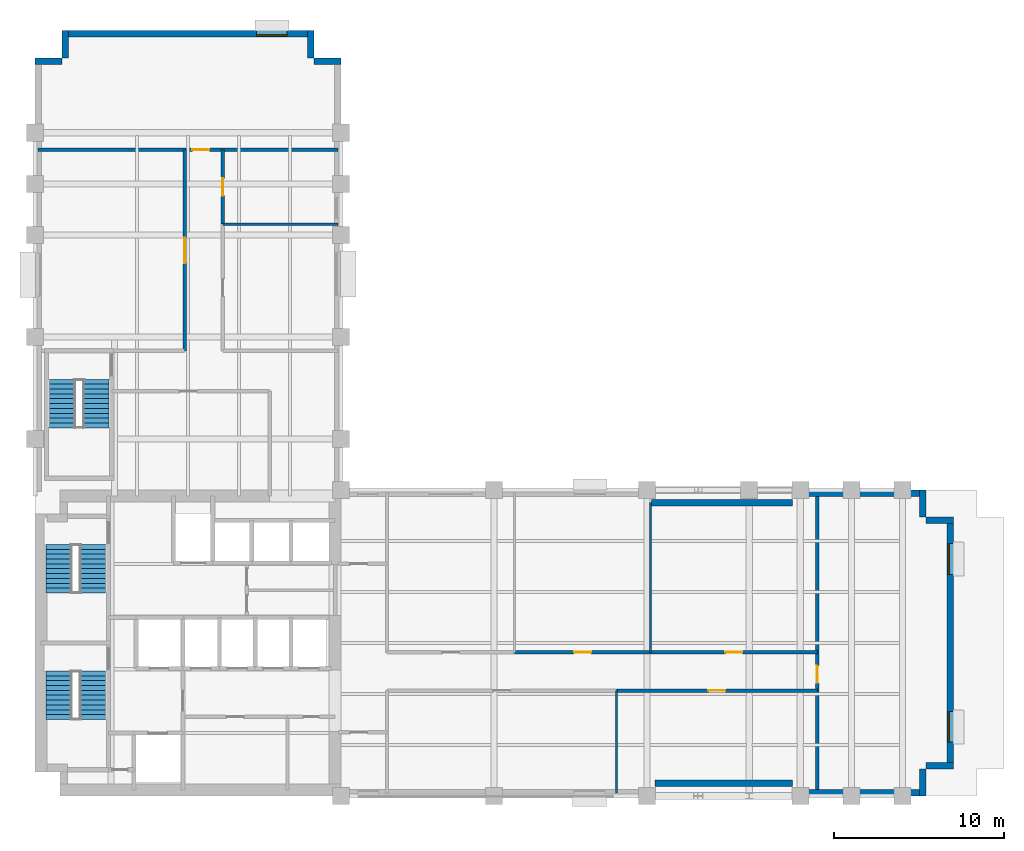
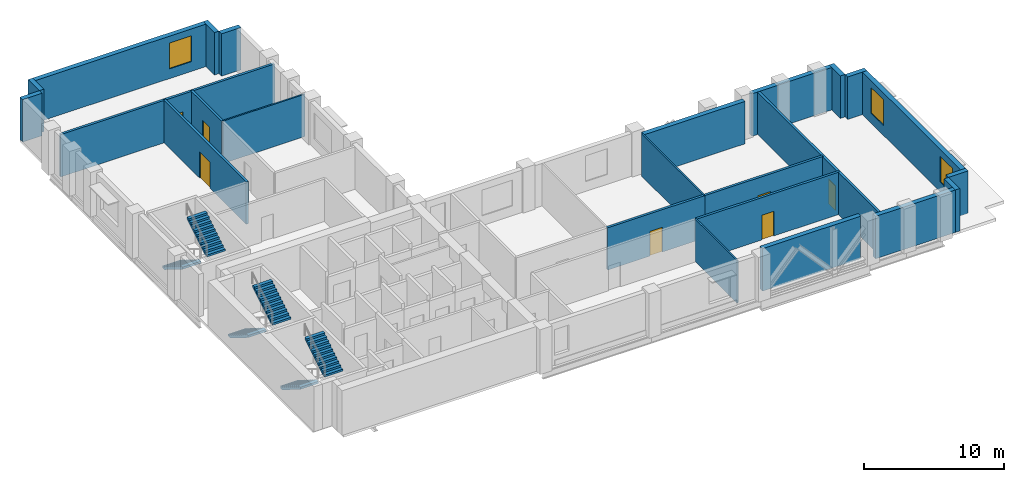
# One storey, part 5 of 7: 24 walls, 7 doors, 6 stair flights, 3 windows, 10 openings, 3 elements without a shape of their own.
"""IFC4 building model written with IfcOpenShell, lengths in metres."""

from ifc_helpers import new_model, si_unit, direction, frame, frame_2d, origin, place, context, subcontext, project, spatial, polyline, rectangle, outline, extrude, material, layer, layer_set, type_object, element, fill, aggregate, save


model = new_model("IFC4")

# Units and contexts
model_context = context("Model", 3, precision=1e-05, world=origin(), true_north=direction((0.0, 1.0)))
body_context = subcontext(model_context, "Body", "Model", "MODEL_VIEW")
ifc_project = project(units=[si_unit("LENGTHUNIT", "METRE"), si_unit("AREAUNIT", "SQUARE_METRE"), si_unit("VOLUMEUNIT", "CUBIC_METRE"), si_unit("PLANEANGLEUNIT", "RADIAN"), si_unit("MASSUNIT", "GRAM", prefix="KILO")], contexts=[model_context])

# Site, building, storey
site_placement = place(None, origin())
site = spatial("IfcSite", under=ifc_project, at=site_placement, CompositionType="ELEMENT")
building_placement = place(site_placement, origin())
building = spatial("IfcBuilding", under=site, at=building_placement, Name="Mawjdan Bourse Tower", CompositionType="ELEMENT")
storey_placement = place(building_placement, frame((0.0, 0.0, 128.39990234375)))
storey = spatial("IfcBuildingStorey", under=building, at=storey_placement, Name="L30", CompositionType="ELEMENT", Elevation=128.39990234375)

# Walls
ifc_material_1 = material(Name="Brick Masonry Terracotta Red", Category="masonry")
ifc_layer_1 = layer(ifc_material_1, 0.3798828125)
ifc_layer_set_1 = layer_set([ifc_layer_1], Name="Brick Masonry Terracotta Red")
wall_type_1 = type_object("IfcWallType", Name="WL-BRK-RED-380", PredefinedType="STANDARD", material=ifc_layer_set_1)
wall_1_placement = place(storey_placement, frame((42.449951171875, 3.75, 0.0), z_axis=(0.0, 0.0, 1.0), x_axis=(1.0, 0.0, 0.0)))
element("IfcWall", 1, at=wall_1_placement, inside=storey, type_object=wall_type_1, Name="L30 Exterior Brick Wall 1P2", PredefinedType="STANDARD", context=body_context, shape_type="SweptSolid", body=[
    extrude(rectangle(XDim=8.10009765625, YDim=0.3798828125, at=frame_2d((4.050048828125, 0.0))), origin(), (0.0, 0.0, 1.0), 3.7001953125),
])
wall_2_placement = place(storey_placement, frame((51.449951171875, 3.18994140625, 0.0), z_axis=(0.0, 0.0, 1.0), x_axis=(1.0, 0.0, 0.0)))
element("IfcWall", 2, at=wall_2_placement, inside=storey, type_object=wall_type_1, Name="L30 Exterior Brick Wall 1P3", PredefinedType="STANDARD", context=body_context, shape_type="SweptSolid", body=[
    extrude(rectangle(XDim=6.949951171875, YDim=0.3798828125, at=frame_2d((3.47509765625, 0.0))), origin(), (0.0, 0.0, 1.0), 3.7001953125),
])
for number, where, z_axis, x_axis, name in (
    (3, (58.2099609375, 3.0, 0.0), (0.0, 0.0, 1.0), (0.0, 1.0, 0.0), "L30 Exterior Brick Wall 2"),
    (4, (58.39990234375, 4.7900390625, 0.0), (0.0, 0.0, 1.0), (1.0, 0.0, 0.0), "L30 Exterior Brick Wall 3"),
):
    element("IfcWall", number, at=place(storey_placement, frame(where, z_axis=z_axis, x_axis=x_axis)), inside=storey, type_object=wall_type_1, Name=name, PredefinedType="STANDARD", context=body_context, shape_type="SweptSolid", body=[
        extrude(rectangle(XDim=1.60009765625, YDim=0.3798828125, at=frame_2d((0.800048828125, 0.0))), origin(), (0.0, 0.0, 1.0), 3.7001953125),
    ])

# Wall, openings, windows
wall_3_placement = place(storey_placement, frame((59.81005859375, 4.60009765625, 0.0), z_axis=(0.0, 0.0, 1.0), x_axis=(0.0, 1.0, 0.0)))
wall_3 = element("IfcWall", 5, at=wall_3_placement, inside=storey, type_object=wall_type_1, Name="L30 Exterior Brick Wall 4", PredefinedType="STANDARD", context=body_context, shape_type="SweptSolid", body=[
    extrude(rectangle(XDim=14.7998046875, YDim=0.3798828125, at=frame_2d((7.39990234375, 0.0))), origin(), (0.0, 0.0, 1.0), 3.7001953125),
])
opening_1_placement = place(wall_3_placement, frame((1.566650390625, 0.0, 0.85009765625)))
opening_1 = element("IfcOpeningElement", 6, at=opening_1_placement, cuts=wall_3, Name="Opening W-L30-02", PredefinedType="OPENING", context=body_context, shape_type="SweptSolid", body=[
    extrude(rectangle(XDim=1.800048828125, YDim=2.25, at=frame_2d((0.89990234375, 1.125))), frame((0.0, 0.199951171875, 0.0), z_axis=(0.0, -1.0, 0.0), x_axis=(1.0, 0.0, 0.0)), (0.0, 0.0, 1.0), 0.39990234375),
])
opening_2_placement = place(wall_3_placement, frame((11.433349609375, 0.0, 0.85009765625)))
opening_2 = element("IfcOpeningElement", 7, at=opening_2_placement, cuts=wall_3, Name="Opening W-L30-03", PredefinedType="OPENING", context=body_context, shape_type="SweptSolid", body=[
    extrude(rectangle(XDim=1.800048828125, YDim=2.25, at=frame_2d((0.89990234375, 1.125))), frame((0.0, 0.199951171875, 0.0), z_axis=(0.0, -1.0, 0.0), x_axis=(1.0, 0.0, 0.0)), (0.0, 0.0, 1.0), 0.39990234375),
])
ifc_material_2 = material(Name="Solar-Control Clear Double Glazing", Category="glass")
window_type = type_object("IfcWindowType", Name="WN-Z2-1800", PartitioningType="SINGLE_PANEL", PredefinedType="WINDOW", material=ifc_material_2)
window_1_placement = place(opening_1_placement, origin())
window_1 = element("IfcWindow", 8, at=window_1_placement, inside=storey, type_object=window_type, Name="L30 Deep-Set Masonry Window W-L30-02", OverallHeight=2.25, OverallWidth=1.800048828125, PartitioningType="SINGLE_PANEL", PredefinedType="WINDOW", context=body_context, shape_type="SweptSolid", body=[
    extrude(rectangle(XDim=1.800048828125, YDim=2.25, at=frame_2d((0.89990234375, 1.125))), frame((0.0, 0.110107421875, 0.0), z_axis=(0.0, -1.0, 0.0), x_axis=(1.0, 0.0, 0.0)), (0.0, 0.0, 1.0), 0.06005859375),
])
fill(opening_1, window_1)
window_2_placement = place(opening_2_placement, origin())
window_2 = element("IfcWindow", 9, at=window_2_placement, inside=storey, type_object=window_type, Name="L30 Deep-Set Masonry Window W-L30-03", OverallHeight=2.25, OverallWidth=1.800048828125, PartitioningType="SINGLE_PANEL", PredefinedType="WINDOW", context=body_context, shape_type="SweptSolid", body=[
    extrude(rectangle(XDim=1.800048828125, YDim=2.25, at=frame_2d((0.89990234375, 1.125))), frame((0.0, 0.110107421875, 0.0), z_axis=(0.0, -1.0, 0.0), x_axis=(1.0, 0.0, 0.0)), (0.0, 0.0, 1.0), 0.06005859375),
])
fill(opening_2, window_2)

# Walls
for number, where, z_axis, x_axis, name in (
    (10, (60.0, 19.2099609375, 0.0), (0.0, 0.0, 1.0), (-1.0, 0.0, 0.0), "L30 Exterior Brick Wall 5"),
    (11, (58.2099609375, 19.39990234375, 0.0), (0.0, 0.0, 1.0), (0.0, 1.0, 0.0), "L30 Exterior Brick Wall 6"),
):
    element("IfcWall", number, at=place(storey_placement, frame(where, z_axis=z_axis, x_axis=x_axis)), inside=storey, type_object=wall_type_1, Name=name, PredefinedType="STANDARD", context=body_context, shape_type="SweptSolid", body=[
        extrude(rectangle(XDim=1.60009765625, YDim=0.3798828125, at=frame_2d((0.800048828125, 0.0))), origin(), (0.0, 0.0, 1.0), 3.7001953125),
    ])
wall_4_placement = place(storey_placement, frame((58.39990234375, 20.81005859375, 0.0), z_axis=(0.0, 0.0, 1.0), x_axis=(-1.0, 0.0, 0.0)))
element("IfcWall", 12, at=wall_4_placement, inside=storey, type_object=wall_type_1, Name="L30 Exterior Brick Wall 7P1", PredefinedType="STANDARD", context=body_context, shape_type="SweptSolid", body=[
    extrude(rectangle(XDim=6.949951171875, YDim=0.3798828125, at=frame_2d((3.47509765625, 0.0))), origin(), (0.0, 0.0, 1.0), 3.7001953125),
])
wall_5_placement = place(storey_placement, frame((50.550048828125, 20.25, 0.0), z_axis=(0.0, 0.0, 1.0), x_axis=(-1.0, 0.0, 0.0)))
element("IfcWall", 13, at=wall_5_placement, inside=storey, type_object=wall_type_1, Name="L30 Exterior Brick Wall 7P2", PredefinedType="STANDARD", context=body_context, shape_type="SweptSolid", body=[
    extrude(rectangle(XDim=8.300048828125, YDim=0.3798828125, at=frame_2d((4.14990234375, 0.0))), origin(), (0.0, 0.0, 1.0), 3.7001953125),
])
for number, where, z_axis, x_axis, name in (
    (14, (24.0, 46.2099609375, 0.0), (0.0, 0.0, 1.0), (-1.0, 0.0, 0.0), "L30 Exterior Brick Wall 9"),
    (15, (22.2099609375, 46.39990234375, 0.0), (0.0, 0.0, 1.0), (0.0, 1.0, 0.0), "L30 Exterior Brick Wall 10"),
):
    element("IfcWall", number, at=place(storey_placement, frame(where, z_axis=z_axis, x_axis=x_axis)), inside=storey, type_object=wall_type_1, Name=name, PredefinedType="STANDARD", context=body_context, shape_type="SweptSolid", body=[
        extrude(rectangle(XDim=1.60009765625, YDim=0.3798828125, at=frame_2d((0.800048828125, 0.0))), origin(), (0.0, 0.0, 1.0), 3.7001953125),
    ])

# Wall, opening, window
wall_6_placement = place(storey_placement, frame((22.39990234375, 47.81005859375, 0.0), z_axis=(0.0, 0.0, 1.0), x_axis=(-1.0, 0.0, 0.0)))
wall_6 = element("IfcWall", 16, at=wall_6_placement, inside=storey, type_object=wall_type_1, Name="L30 Exterior Brick Wall 11", PredefinedType="STANDARD", context=body_context, shape_type="SweptSolid", body=[
    extrude(rectangle(XDim=14.7998046875, YDim=0.3798828125, at=frame_2d((7.39990234375, 0.0))), origin(), (0.0, 0.0, 1.0), 3.7001953125),
])
opening_3_placement = place(wall_6_placement, frame((1.566650390625, 0.0, 0.85009765625)))
opening_3 = element("IfcOpeningElement", 17, at=opening_3_placement, cuts=wall_6, Name="Opening W-L30-06", PredefinedType="OPENING", context=body_context, shape_type="SweptSolid", body=[
    extrude(rectangle(XDim=1.800048828125, YDim=2.25, at=frame_2d((0.89990234375, 1.125))), frame((0.0, 0.199951171875, 0.0), z_axis=(0.0, -1.0, 0.0), x_axis=(1.0, 0.0, 0.0)), (0.0, 0.0, 1.0), 0.39990234375),
])
window_3_placement = place(opening_3_placement, origin())
window_3 = element("IfcWindow", 18, at=window_3_placement, inside=storey, type_object=window_type, Name="L30 Deep-Set Masonry Window W-L30-06", OverallHeight=2.25, OverallWidth=1.800048828125, PartitioningType="SINGLE_PANEL", PredefinedType="WINDOW", context=body_context, shape_type="SweptSolid", body=[
    extrude(rectangle(XDim=1.800048828125, YDim=2.25, at=frame_2d((0.89990234375, 1.125))), frame((0.0, 0.110107421875, 0.0), z_axis=(0.0, -1.0, 0.0), x_axis=(1.0, 0.0, 0.0)), (0.0, 0.0, 1.0), 0.06005859375),
])
fill(opening_3, window_3)

# Walls
for number, where, z_axis, x_axis, name in (
    (19, (7.7900390625, 48.0, 0.0), (0.0, 0.0, 1.0), (0.0, -1.0, 0.0), "L30 Exterior Brick Wall 12"),
    (20, (7.60009765625, 46.2099609375, 0.0), (0.0, 0.0, 1.0), (-1.0, 0.0, 0.0), "L30 Exterior Brick Wall 13"),
):
    element("IfcWall", number, at=place(storey_placement, frame(where, z_axis=z_axis, x_axis=x_axis)), inside=storey, type_object=wall_type_1, Name=name, PredefinedType="STANDARD", context=body_context, shape_type="SweptSolid", body=[
        extrude(rectangle(XDim=1.60009765625, YDim=0.3798828125, at=frame_2d((0.800048828125, 0.0))), origin(), (0.0, 0.0, 1.0), 3.7001953125),
    ])

# Wall, opening, door
ifc_material_3 = material(Name="Gypsum Fireboard Assembly")
ifc_layer_2 = layer(ifc_material_3, 0.199951171875)
ifc_layer_set_2 = layer_set([ifc_layer_2], Name="Gypsum Fireboard Assembly")
wall_type_2 = type_object("IfcWallType", Name="WL-CMP-200", PredefinedType="PARTITIONING", material=ifc_layer_set_2)
wall_7_placement = place(storey_placement, frame((40.199951171875, 9.199951171875, 0.0), z_axis=(0.0, 0.0, 1.0), x_axis=(1.0, 0.0, 0.0)))
wall_7 = element("IfcWall", 21, at=wall_7_placement, inside=storey, type_object=wall_type_2, Name="L30 Document Archive Store Corridor Wall", PredefinedType="PARTITIONING", context=body_context, shape_type="SweptSolid", body=[
    extrude(rectangle(XDim=11.800048828125, YDim=0.199951171875, at=frame_2d((5.89990234375, 0.0))), origin(), (0.0, 0.0, 1.0), 3.690185546875),
])
opening_4_placement = place(wall_7_placement, frame((5.39990234375, 0.0, 0.0)))
opening_4 = element("IfcOpeningElement", 22, at=opening_4_placement, cuts=wall_7, Name="Opening D-L30-22", PredefinedType="OPENING", context=body_context, shape_type="SweptSolid", body=[
    extrude(rectangle(XDim=1.0, YDim=2.14990234375, at=frame_2d((0.5, 1.074951171875))), frame((0.0, 0.10986328125, 0.0), z_axis=(0.0, -1.0, 0.0), x_axis=(1.0, 0.0, 0.0)), (0.0, 0.0, 1.0), 0.219970703125),
])
ifc_material_4 = material(Name="Hardwood Acoustic Leaf", Category="wood")
door_type_1 = type_object("IfcDoorType", Name="DR-OFC-1000", OperationType="NOTDEFINED", PredefinedType="DOOR", material=ifc_material_4)
door_1_placement = place(opening_4_placement, origin())
door_1 = element("IfcDoor", 23, at=door_1_placement, inside=storey, type_object=door_type_1, Name="L30 Document Archive Store Door D-L30-22", OperationType="SINGLE_SWING_LEFT", OverallHeight=2.14990234375, OverallWidth=1.0, PredefinedType="DOOR", context=body_context, shape_type="SweptSolid", body=[
    extrude(rectangle(XDim=1.0, YDim=2.14990234375, at=frame_2d((0.5, 1.074951171875))), frame((0.0, 0.02490234375, 0.0), z_axis=(0.0, -1.0, 0.0), x_axis=(1.0, 0.0, 0.0)), (0.0, 0.0, 1.0), 0.050048828125),
])
fill(opening_4, door_1)

wall_8_placement = place(storey_placement, frame((34.199951171875, 11.449951171875, 0.0), z_axis=(0.0, 0.0, 1.0), x_axis=(1.0, 0.0, 0.0)))
wall_8 = element("IfcWall", 24, at=wall_8_placement, inside=storey, type_object=wall_type_2, Name="L30 Portfolio Library Corridor Wall", PredefinedType="PARTITIONING", context=body_context, shape_type="SweptSolid", body=[
    extrude(rectangle(XDim=8.0, YDim=0.199951171875, at=frame_2d((4.0, 0.0))), origin(), (0.0, 0.0, 1.0), 3.690185546875),
])
opening_5_placement = place(wall_8_placement, frame((3.5, 0.0, 0.0)))
opening_5 = element("IfcOpeningElement", 25, at=opening_5_placement, cuts=wall_8, Name="Opening D-L30-24", PredefinedType="OPENING", context=body_context, shape_type="SweptSolid", body=[
    extrude(rectangle(XDim=1.0, YDim=2.14990234375, at=frame_2d((0.5, 1.074951171875))), frame((0.0, 0.10986328125, 0.0), z_axis=(0.0, -1.0, 0.0), x_axis=(1.0, 0.0, 0.0)), (0.0, 0.0, 1.0), 0.219970703125),
])
door_2_placement = place(opening_5_placement, origin())
door_2 = element("IfcDoor", 26, at=door_2_placement, inside=storey, type_object=door_type_1, Name="L30 Portfolio Library Door D-L30-24", OperationType="SINGLE_SWING_LEFT", OverallHeight=2.14990234375, OverallWidth=1.0, PredefinedType="DOOR", context=body_context, shape_type="SweptSolid", body=[
    extrude(rectangle(XDim=1.0, YDim=2.14990234375, at=frame_2d((0.5, 1.074951171875))), frame((0.0, 0.02490234375, 0.0), z_axis=(0.0, -1.0, 0.0), x_axis=(1.0, 0.0, 0.0)), (0.0, 0.0, 1.0), 0.050048828125),
])
fill(opening_5, door_2)

wall_9_placement = place(storey_placement, frame((42.199951171875, 11.449951171875, 0.0), z_axis=(0.0, 0.0, 1.0), x_axis=(1.0, 0.0, 0.0)))
wall_9 = element("IfcWall", 27, at=wall_9_placement, inside=storey, type_object=wall_type_2, Name="L30 Document Archive Store Corridor Wall", PredefinedType="PARTITIONING", context=body_context, shape_type="SweptSolid", body=[
    extrude(rectangle(XDim=9.800048828125, YDim=0.199951171875, at=frame_2d((4.89990234375, 0.0))), origin(), (0.0, 0.0, 1.0), 3.690185546875),
])
opening_6_placement = place(wall_9_placement, frame((4.39990234375, 0.0, 0.0)))
opening_6 = element("IfcOpeningElement", 28, at=opening_6_placement, cuts=wall_9, Name="Opening D-L30-25", PredefinedType="OPENING", context=body_context, shape_type="SweptSolid", body=[
    extrude(rectangle(XDim=1.0, YDim=2.14990234375, at=frame_2d((0.5, 1.074951171875))), frame((0.0, 0.10986328125, 0.0), z_axis=(0.0, -1.0, 0.0), x_axis=(1.0, 0.0, 0.0)), (0.0, 0.0, 1.0), 0.219970703125),
])
door_3_placement = place(opening_6_placement, origin())
door_3 = element("IfcDoor", 29, at=door_3_placement, inside=storey, type_object=door_type_1, Name="L30 Document Archive Store Door D-L30-25", OperationType="SINGLE_SWING_RIGHT", OverallHeight=2.14990234375, OverallWidth=1.0, PredefinedType="DOOR", context=body_context, shape_type="SweptSolid", body=[
    extrude(rectangle(XDim=1.0, YDim=2.14990234375, at=frame_2d((0.5, 1.074951171875))), frame((0.0, 0.02490234375, 0.0), z_axis=(0.0, -1.0, 0.0), x_axis=(1.0, 0.0, 0.0)), (0.0, 0.0, 1.0), 0.050048828125),
])
fill(opening_6, door_3)

wall_10_placement = place(storey_placement, frame((52.0, 3.179931640625, 0.0), z_axis=(0.0, 0.0, 1.0), x_axis=(0.0, 1.0, 0.0)))
wall_10 = element("IfcWall", 30, at=wall_10_placement, inside=storey, type_object=wall_type_2, Name="L30 East Tip Full Cross Wall", PredefinedType="PARTITIONING", context=body_context, shape_type="SweptSolid", body=[
    extrude(rectangle(XDim=17.64013671875, YDim=0.199951171875, at=frame_2d((8.820068359375, 0.0))), origin(), (0.0, 0.0, 1.0), 3.690185546875),
])
opening_7_placement = place(wall_10_placement, frame((6.47509765625, 0.0, 0.0)))
opening_7 = element("IfcOpeningElement", 31, at=opening_7_placement, cuts=wall_10, Name="Opening D-L30-26", PredefinedType="OPENING", context=body_context, shape_type="SweptSolid", body=[
    extrude(rectangle(XDim=1.0, YDim=2.14990234375, at=frame_2d((0.5, 1.074951171875))), frame((0.0, 0.10986328125, 0.0), z_axis=(0.0, -1.0, 0.0), x_axis=(1.0, 0.0, 0.0)), (0.0, 0.0, 1.0), 0.219970703125),
])
door_4_placement = place(opening_7_placement, origin())
door_4 = element("IfcDoor", 32, at=door_4_placement, inside=storey, type_object=door_type_1, Name="L30 East Tip Hall Door D-L30-26", OperationType="SINGLE_SWING_LEFT", OverallHeight=2.14990234375, OverallWidth=1.0, PredefinedType="DOOR", context=body_context, shape_type="SweptSolid", body=[
    extrude(rectangle(XDim=1.0, YDim=2.14990234375, at=frame_2d((0.5, 1.074951171875))), frame((0.0, 0.02490234375, 0.0), z_axis=(0.0, -1.0, 0.0), x_axis=(1.0, 0.0, 0.0)), (0.0, 0.0, 1.0), 0.050048828125),
])
fill(opening_7, door_4)

wall_11_placement = place(storey_placement, frame((14.800048828125, 29.179931640625, 0.0), z_axis=(0.0, 0.0, 1.0), x_axis=(0.0, 1.0, 0.0)))
wall_11 = element("IfcWall", 33, at=wall_11_placement, inside=storey, type_object=wall_type_2, Name="L30 Conference Room Corridor Wall", PredefinedType="PARTITIONING", context=body_context, shape_type="SweptSolid", body=[
    extrude(rectangle(XDim=11.820068359375, YDim=0.199951171875, at=frame_2d((5.91015625, 0.0))), origin(), (0.0, 0.0, 1.0), 3.690185546875),
])
opening_8_placement = place(wall_11_placement, frame((5.159912109375, 0.0, 0.0)))
opening_8 = element("IfcOpeningElement", 34, at=opening_8_placement, cuts=wall_11, Name="Opening D-L30-28", PredefinedType="OPENING", context=body_context, shape_type="SweptSolid", body=[
    extrude(rectangle(XDim=1.5, YDim=2.300048828125, at=frame_2d((0.75, 1.14990234375))), frame((0.0, 0.10986328125, 0.0), z_axis=(0.0, -1.0, 0.0), x_axis=(1.0, 0.0, 0.0)), (0.0, 0.0, 1.0), 0.219970703125),
])
ifc_material_5 = material(Name="Acoustic Glazed Timber", Category="wood")
door_type_2 = type_object("IfcDoorType", Name="DR-CNF-1500", OperationType="DOUBLE_DOOR_SINGLE_SWING", PredefinedType="DOOR", material=ifc_material_5)
door_5_placement = place(opening_8_placement, origin())
door_5 = element("IfcDoor", 35, at=door_5_placement, inside=storey, type_object=door_type_2, Name="L30 Conference Room Door D-L30-28", OperationType="DOUBLE_DOOR_SINGLE_SWING", OverallHeight=2.300048828125, OverallWidth=1.5, PredefinedType="DOOR", context=body_context, shape_type="SweptSolid", body=[
    extrude(rectangle(XDim=1.5, YDim=2.300048828125, at=frame_2d((0.75, 1.14990234375))), frame((0.0, 0.02490234375, 0.0), z_axis=(0.0, -1.0, 0.0), x_axis=(1.0, 0.0, 0.0)), (0.0, 0.0, 1.0), 0.050048828125),
])
fill(opening_8, door_5)

wall_12_placement = place(storey_placement, frame((17.050048828125, 36.6201171875, 0.0), z_axis=(0.0, 0.0, 1.0), x_axis=(0.0, 1.0, 0.0)))
wall_12 = element("IfcWall", 36, at=wall_12_placement, inside=storey, type_object=wall_type_2, Name="L30 Client Reception Corridor Wall", PredefinedType="PARTITIONING", context=body_context, shape_type="SweptSolid", body=[
    extrude(rectangle(XDim=4.3798828125, YDim=0.199951171875, at=frame_2d((2.18994140625, 0.0))), origin(), (0.0, 0.0, 1.0), 3.690185546875),
])
opening_9_placement = place(wall_12_placement, frame((1.68994140625, 0.0, 0.0)))
opening_9 = element("IfcOpeningElement", 37, at=opening_9_placement, cuts=wall_12, Name="Opening D-L30-30", PredefinedType="OPENING", context=body_context, shape_type="SweptSolid", body=[
    extrude(rectangle(XDim=1.0, YDim=2.14990234375, at=frame_2d((0.5, 1.074951171875))), frame((0.0, 0.10986328125, 0.0), z_axis=(0.0, -1.0, 0.0), x_axis=(1.0, 0.0, 0.0)), (0.0, 0.0, 1.0), 0.219970703125),
])
door_6_placement = place(opening_9_placement, origin())
door_6 = element("IfcDoor", 38, at=door_6_placement, inside=storey, type_object=door_type_1, Name="L30 Client Reception Door D-L30-30", OperationType="SINGLE_SWING_RIGHT", OverallHeight=2.14990234375, OverallWidth=1.0, PredefinedType="DOOR", context=body_context, shape_type="SweptSolid", body=[
    extrude(rectangle(XDim=1.0, YDim=2.14990234375, at=frame_2d((0.5, 1.074951171875))), frame((0.0, 0.02490234375, 0.0), z_axis=(0.0, -1.0, 0.0), x_axis=(1.0, 0.0, 0.0)), (0.0, 0.0, 1.0), 0.050048828125),
])
fill(opening_9, door_6)

wall_13_placement = place(storey_placement, frame((6.179931640625, 41.0, 0.0), z_axis=(0.0, 0.0, 1.0), x_axis=(1.0, 0.0, 0.0)))
wall_13 = element("IfcWall", 39, at=wall_13_placement, inside=storey, type_object=wall_type_2, Name="L30 North Tip Full Cross Wall", PredefinedType="PARTITIONING", context=body_context, shape_type="SweptSolid", body=[
    extrude(rectangle(XDim=17.64013671875, YDim=0.199951171875, at=frame_2d((8.820068359375, 0.0))), origin(), (0.0, 0.0, 1.0), 3.690185546875),
])
opening_10_placement = place(wall_13_placement, frame((9.074951171875, 0.0, 0.0)))
opening_10 = element("IfcOpeningElement", 40, at=opening_10_placement, cuts=wall_13, Name="Opening D-L30-31", PredefinedType="OPENING", context=body_context, shape_type="SweptSolid", body=[
    extrude(rectangle(XDim=1.0, YDim=2.14990234375, at=frame_2d((0.5, 1.074951171875))), frame((0.0, 0.10986328125, 0.0), z_axis=(0.0, -1.0, 0.0), x_axis=(1.0, 0.0, 0.0)), (0.0, 0.0, 1.0), 0.219970703125),
])
door_7_placement = place(opening_10_placement, origin())
door_7 = element("IfcDoor", 41, at=door_7_placement, inside=storey, type_object=door_type_1, Name="L30 North Tip Suite Door D-L30-31", OperationType="SINGLE_SWING_LEFT", OverallHeight=2.14990234375, OverallWidth=1.0, PredefinedType="DOOR", context=body_context, shape_type="SweptSolid", body=[
    extrude(rectangle(XDim=1.0, YDim=2.14990234375, at=frame_2d((0.5, 1.074951171875))), frame((0.0, 0.02490234375, 0.0), z_axis=(0.0, -1.0, 0.0), x_axis=(1.0, 0.0, 0.0)), (0.0, 0.0, 1.0), 0.050048828125),
])
fill(opening_10, door_7)

# Walls
ifc_material_6 = material(Name="Gypsum Partition")
ifc_layer_3 = layer(ifc_material_6, 0.125)
ifc_layer_set_3 = layer_set([ifc_layer_3], Name="Gypsum Partition")
wall_type_3 = type_object("IfcWallType", Name="WL-PRT-125", PredefinedType="PARTITIONING", material=ifc_layer_set_3)
wall_14_placement = place(storey_placement, frame((40.199951171875, 3.179931640625, 0.0), z_axis=(0.0, 0.0, 1.0), x_axis=(0.0, 1.0, 0.0)))
element("IfcWall", 42, at=wall_14_placement, inside=storey, type_object=wall_type_3, Name="L30 Document Archive Store Partition", PredefinedType="PARTITIONING", context=body_context, shape_type="SweptSolid", body=[
    extrude(rectangle(XDim=6.02001953125, YDim=0.125, at=frame_2d((3.010009765625, 0.0))), origin(), (0.0, 0.0, 1.0), 3.690185546875),
])
wall_15_placement = place(storey_placement, frame((42.199951171875, 11.449951171875, 0.0), z_axis=(0.0, 0.0, 1.0), x_axis=(0.0, 1.0, 0.0)))
element("IfcWall", 43, at=wall_15_placement, inside=storey, type_object=wall_type_3, Name="L30 Document Archive Store Partition", PredefinedType="PARTITIONING", context=body_context, shape_type="SweptSolid", body=[
    extrude(rectangle(XDim=8.800048828125, YDim=0.125, at=frame_2d((4.39990234375, 0.0))), origin(), (0.0, 0.0, 1.0), 3.690185546875),
])
wall_16_placement = place(storey_placement, frame((17.050048828125, 36.6201171875, 0.0), z_axis=(0.0, 0.0, 1.0), x_axis=(1.0, 0.0, 0.0)))
element("IfcWall", 44, at=wall_16_placement, inside=storey, type_object=wall_type_3, Name="L30 Client Reception Partition", PredefinedType="PARTITIONING", context=body_context, shape_type="SweptSolid", body=[
    extrude(rectangle(XDim=6.77001953125, YDim=0.125, at=frame_2d((3.385009765625, 0.0))), origin(), (0.0, 0.0, 1.0), 3.690185546875),
])

# Stair, stair flights
ifc_material_7 = material(Name="Concrete C50/60", Category="concrete")
stair_type = type_object("IfcStairType", Name="STR-CORE-1500", PredefinedType="HALF_TURN_STAIR", material=ifc_material_7)
stair_1_placement = place(storey_placement, origin())
stair_1 = element("IfcStair", 45, at=stair_1_placement, inside=storey, type_object=stair_type, Name="L30 Exit Stair 1 (Core South-West)", PredefinedType="HALF_TURN_STAIR")
stair_flight_type = type_object("IfcStairFlightType", Name="SFL-RC-1500", PredefinedType="STRAIGHT", material=ifc_material_7)
stair_flight_1_placement = place(storey_placement, frame((7.389892578125, 10.35009765625, 0.0), z_axis=(0.0, 0.0, 1.0), x_axis=(0.0, -1.0, 0.0)))
stair_flight_1 = element("IfcStairFlight", 46, at=stair_flight_1_placement, type_object=stair_flight_type, Name="ST1-L30 flight 1", NumberOfRisers=11, NumberOfTreads=10, PredefinedType="STRAIGHT", RiserHeight=0.177273, TreadLength=0.285, context=body_context, shape_type="SweptSolid", body=[
    extrude(outline(polyline([(0.0, 0.0), (0.0, 0.17724609375), (0.284912109375, 0.17724609375), (0.284912109375, 0.3544921875), (0.570068359375, 0.3544921875), (0.570068359375, 0.53173828125), (0.85498046875, 0.53173828125), (0.85498046875, 0.708984375), (1.139892578125, 0.708984375), (1.139892578125, 0.886474609375), (1.425048828125, 0.886474609375), (1.425048828125, 1.063720703125), (1.7099609375, 1.063720703125), (1.7099609375, 1.240966796875), (1.9951171875, 1.240966796875), (1.9951171875, 1.418212890625), (2.280029296875, 1.418212890625), (2.280029296875, 1.595458984375), (2.56494140625, 1.595458984375), (2.56494140625, 1.772705078125), (2.85009765625, 1.772705078125), (2.85009765625, 1.949951171875), (2.85009765625, 1.58447265625), (0.302734375, 0.0), (0.0, 0.0)])), frame((0.0, 0.75, 0.0), z_axis=(0.0, -1.0, 0.0), x_axis=(1.0, 0.0, 0.0)), (0.0, 0.0, 1.0), 1.5),
])
stair_flight_2_placement = place(storey_placement, frame((9.409912109375, 7.5, 1.9501953125), z_axis=(0.0, 0.0, 1.0), x_axis=(0.0, 1.0, 0.0)))
stair_flight_2 = element("IfcStairFlight", 47, at=stair_flight_2_placement, type_object=stair_flight_type, Name="ST1-L30 flight 2", NumberOfRisers=11, NumberOfTreads=10, PredefinedType="STRAIGHT", RiserHeight=0.177273, TreadLength=0.285, context=body_context, shape_type="SweptSolid", body=[
    extrude(outline(polyline([(0.0, 0.0), (0.0, 0.17724609375), (0.284912109375, 0.17724609375), (0.284912109375, 0.3544921875), (0.570068359375, 0.3544921875), (0.570068359375, 0.53173828125), (0.85498046875, 0.53173828125), (0.85498046875, 0.708984375), (1.139892578125, 0.708984375), (1.139892578125, 0.886474609375), (1.425048828125, 0.886474609375), (1.425048828125, 1.063720703125), (1.7099609375, 1.063720703125), (1.7099609375, 1.240966796875), (1.9951171875, 1.240966796875), (1.9951171875, 1.418212890625), (2.280029296875, 1.418212890625), (2.280029296875, 1.595458984375), (2.56494140625, 1.595458984375), (2.56494140625, 1.772705078125), (2.85009765625, 1.772705078125), (2.85009765625, 1.949951171875), (2.85009765625, 1.58447265625), (0.302734375, 0.0), (0.0, 0.0)])), frame((0.0, 0.75, 0.0), z_axis=(0.0, -1.0, 0.0), x_axis=(1.0, 0.0, 0.0)), (0.0, 0.0, 1.0), 1.5),
])
aggregate(stair_1, [stair_flight_1, stair_flight_2])

stair_2_placement = place(storey_placement, origin())
stair_2 = element("IfcStair", 48, at=stair_2_placement, inside=storey, type_object=stair_type, Name="L30 Exit Stair 2 (Core North-West)", PredefinedType="HALF_TURN_STAIR")
stair_flight_3_placement = place(storey_placement, frame((7.389892578125, 17.7900390625, 0.0), z_axis=(0.0, 0.0, 1.0), x_axis=(0.0, -1.0, 0.0)))
stair_flight_3 = element("IfcStairFlight", 49, at=stair_flight_3_placement, type_object=stair_flight_type, Name="ST2-L30 flight 1", NumberOfRisers=11, NumberOfTreads=10, PredefinedType="STRAIGHT", RiserHeight=0.177273, TreadLength=0.285, context=body_context, shape_type="SweptSolid", body=[
    extrude(outline(polyline([(0.0, 0.0), (0.0, 0.17724609375), (0.284912109375, 0.17724609375), (0.284912109375, 0.3544921875), (0.570068359375, 0.3544921875), (0.570068359375, 0.53173828125), (0.85498046875, 0.53173828125), (0.85498046875, 0.708984375), (1.139892578125, 0.708984375), (1.139892578125, 0.886474609375), (1.425048828125, 0.886474609375), (1.425048828125, 1.063720703125), (1.7099609375, 1.063720703125), (1.7099609375, 1.240966796875), (1.9951171875, 1.240966796875), (1.9951171875, 1.418212890625), (2.280029296875, 1.418212890625), (2.280029296875, 1.595458984375), (2.56494140625, 1.595458984375), (2.56494140625, 1.772705078125), (2.85009765625, 1.772705078125), (2.85009765625, 1.949951171875), (2.85009765625, 1.58447265625), (0.302734375, 0.0), (0.0, 0.0)])), frame((0.0, 0.75, 0.0), z_axis=(0.0, -1.0, 0.0), x_axis=(1.0, 0.0, 0.0)), (0.0, 0.0, 1.0), 1.5),
])
stair_flight_4_placement = place(storey_placement, frame((9.409912109375, 14.93994140625, 1.9501953125), z_axis=(0.0, 0.0, 1.0), x_axis=(0.0, 1.0, 0.0)))
stair_flight_4 = element("IfcStairFlight", 50, at=stair_flight_4_placement, type_object=stair_flight_type, Name="ST2-L30 flight 2", NumberOfRisers=11, NumberOfTreads=10, PredefinedType="STRAIGHT", RiserHeight=0.177273, TreadLength=0.285, context=body_context, shape_type="SweptSolid", body=[
    extrude(outline(polyline([(0.0, 0.0), (0.0, 0.17724609375), (0.284912109375, 0.17724609375), (0.284912109375, 0.3544921875), (0.570068359375, 0.3544921875), (0.570068359375, 0.53173828125), (0.85498046875, 0.53173828125), (0.85498046875, 0.708984375), (1.139892578125, 0.708984375), (1.139892578125, 0.886474609375), (1.425048828125, 0.886474609375), (1.425048828125, 1.063720703125), (1.7099609375, 1.063720703125), (1.7099609375, 1.240966796875), (1.9951171875, 1.240966796875), (1.9951171875, 1.418212890625), (2.280029296875, 1.418212890625), (2.280029296875, 1.595458984375), (2.56494140625, 1.595458984375), (2.56494140625, 1.772705078125), (2.85009765625, 1.772705078125), (2.85009765625, 1.949951171875), (2.85009765625, 1.58447265625), (0.302734375, 0.0), (0.0, 0.0)])), frame((0.0, 0.75, 0.0), z_axis=(0.0, -1.0, 0.0), x_axis=(1.0, 0.0, 0.0)), (0.0, 0.0, 1.0), 1.5),
])
aggregate(stair_2, [stair_flight_3, stair_flight_4])

stair_3_placement = place(storey_placement, origin())
stair_3 = element("IfcStair", 51, at=stair_3_placement, inside=storey, type_object=stair_type, Name="L30 Exit Stair 3 (North Wing)", PredefinedType="HALF_TURN_STAIR")
stair_flight_5_placement = place(storey_placement, frame((7.590087890625, 27.5, 0.0), z_axis=(0.0, 0.0, 1.0), x_axis=(0.0, -1.0, 0.0)))
stair_flight_5 = element("IfcStairFlight", 52, at=stair_flight_5_placement, type_object=stair_flight_type, Name="ST3-L30 flight 1", NumberOfRisers=11, NumberOfTreads=10, PredefinedType="STRAIGHT", RiserHeight=0.177273, TreadLength=0.285, context=body_context, shape_type="SweptSolid", body=[
    extrude(outline(polyline([(0.0, 0.0), (0.0, 0.17724609375), (0.284912109375, 0.17724609375), (0.284912109375, 0.3544921875), (0.570068359375, 0.3544921875), (0.570068359375, 0.53173828125), (0.85498046875, 0.53173828125), (0.85498046875, 0.708984375), (1.139892578125, 0.708984375), (1.139892578125, 0.886474609375), (1.425048828125, 0.886474609375), (1.425048828125, 1.063720703125), (1.7099609375, 1.063720703125), (1.7099609375, 1.240966796875), (1.9951171875, 1.240966796875), (1.9951171875, 1.418212890625), (2.280029296875, 1.418212890625), (2.280029296875, 1.595458984375), (2.56494140625, 1.595458984375), (2.56494140625, 1.772705078125), (2.85009765625, 1.772705078125), (2.85009765625, 1.949951171875), (2.85009765625, 1.58447265625), (0.302734375, 0.0), (0.0, 0.0)])), frame((0.0, 0.75, 0.0), z_axis=(0.0, -1.0, 0.0), x_axis=(1.0, 0.0, 0.0)), (0.0, 0.0, 1.0), 1.5),
])
stair_flight_6_placement = place(storey_placement, frame((9.610107421875, 24.64990234375, 1.9501953125), z_axis=(0.0, 0.0, 1.0), x_axis=(0.0, 1.0, 0.0)))
stair_flight_6 = element("IfcStairFlight", 53, at=stair_flight_6_placement, type_object=stair_flight_type, Name="ST3-L30 flight 2", NumberOfRisers=11, NumberOfTreads=10, PredefinedType="STRAIGHT", RiserHeight=0.177273, TreadLength=0.285, context=body_context, shape_type="SweptSolid", body=[
    extrude(outline(polyline([(0.0, 0.0), (0.0, 0.17724609375), (0.284912109375, 0.17724609375), (0.284912109375, 0.3544921875), (0.570068359375, 0.3544921875), (0.570068359375, 0.53173828125), (0.85498046875, 0.53173828125), (0.85498046875, 0.708984375), (1.139892578125, 0.708984375), (1.139892578125, 0.886474609375), (1.425048828125, 0.886474609375), (1.425048828125, 1.063720703125), (1.7099609375, 1.063720703125), (1.7099609375, 1.240966796875), (1.9951171875, 1.240966796875), (1.9951171875, 1.418212890625), (2.280029296875, 1.418212890625), (2.280029296875, 1.595458984375), (2.56494140625, 1.595458984375), (2.56494140625, 1.772705078125), (2.85009765625, 1.772705078125), (2.85009765625, 1.949951171875), (2.85009765625, 1.58447265625), (0.302734375, 0.0), (0.0, 0.0)])), frame((0.0, 0.75, 0.0), z_axis=(0.0, -1.0, 0.0), x_axis=(1.0, 0.0, 0.0)), (0.0, 0.0, 1.0), 1.5),
])
aggregate(stair_3, [stair_flight_5, stair_flight_6])

save(model, "model.ifc")
